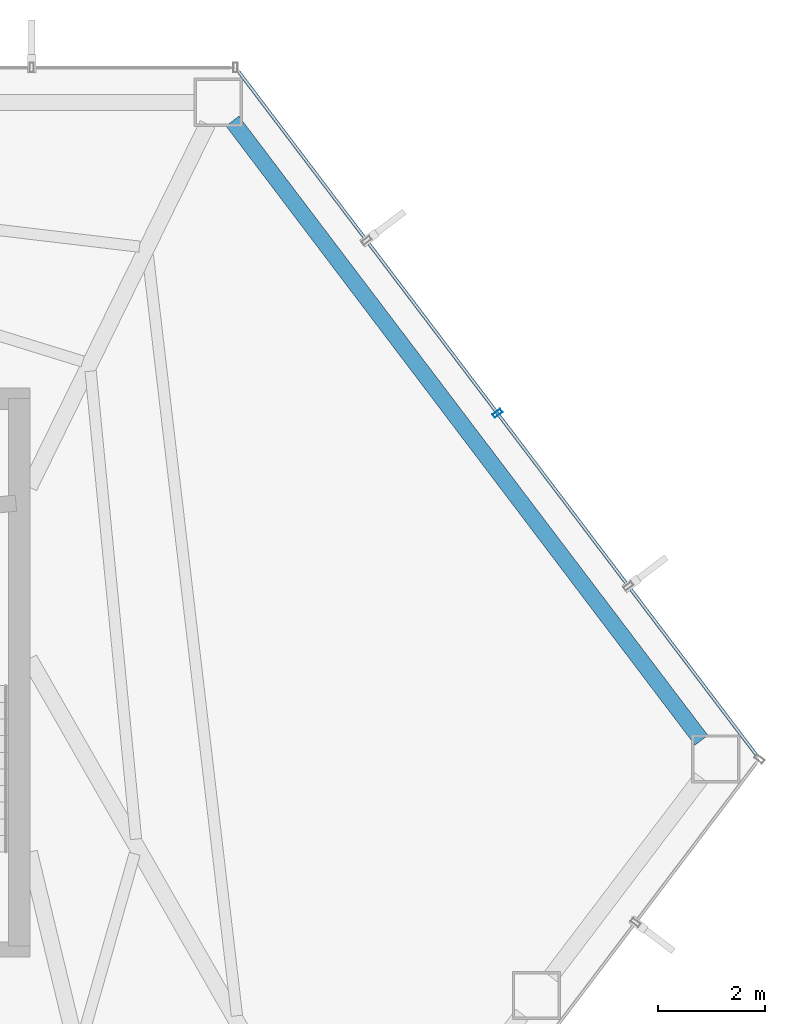
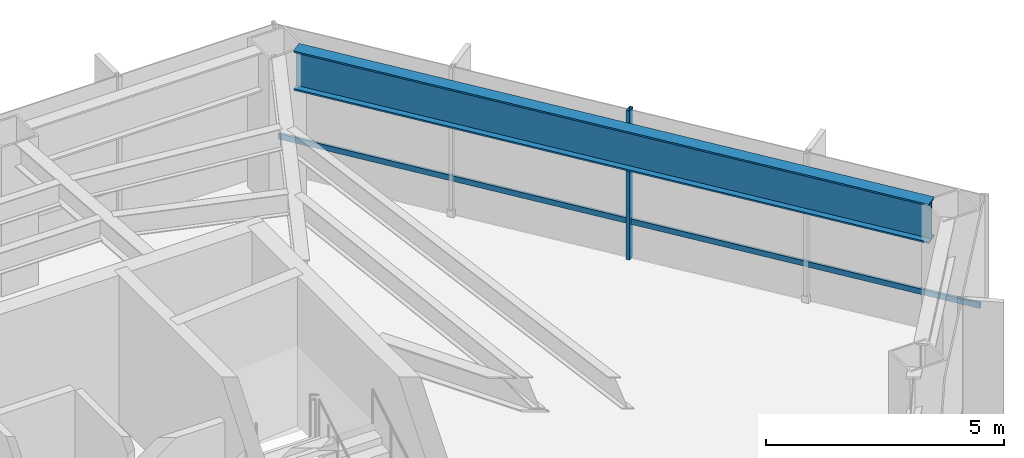
# One storey, part 20 of 25: 2 members, 1 beam, 1 element without a shape of its own.
"""IFC4 building model written with IfcOpenShell, lengths in metres."""

from ifc_helpers import new_model, si_unit, direction, frame, origin, origin_2d, place, context, subcontext, project, spatial, hollow_rectangle, i_section, extrude, material, layer, layer_set, material_profile, profile_set, type_object, element, aggregate, save


model = new_model("IFC4")

# Units and contexts
model_context = context("Model", 3, precision=1e-05, world=origin(), true_north=direction((0.0, 1.0)))
body_context = subcontext(model_context, "Body", "Model", "MODEL_VIEW")
ifc_project = project(units=[si_unit("LENGTHUNIT", "METRE"), si_unit("AREAUNIT", "SQUARE_METRE"), si_unit("VOLUMEUNIT", "CUBIC_METRE"), si_unit("PLANEANGLEUNIT", "RADIAN"), si_unit("MASSUNIT", "GRAM", prefix="KILO")], contexts=[model_context])

# Site, building, storey
site_placement = place(None, origin())
site = spatial("IfcSite", under=ifc_project, at=site_placement, CompositionType="ELEMENT")
building_placement = place(site_placement, origin())
building = spatial("IfcBuilding", under=site, at=building_placement, Name="Zarrinselat Tower", CompositionType="ELEMENT")
storey_placement = place(building_placement, frame((0.0, 0.0, 84.659912109375)))
storey = spatial("IfcBuildingStorey", under=building, at=storey_placement, Name="L20", CompositionType="ELEMENT", Elevation=84.659912109375)

# Beam
ifc_material_1 = material(Name="Steel S460M", Category="steel")
ifc_material_profile_1 = material_profile(ifc_material_1, i_section(OverallWidth=0.302001953125, OverallDepth=1.008056640625, WebThickness=0.02099609375, FlangeThickness=0.0400390625, at=origin_2d()), Name="HEM 1000")
ifc_profile_set_1 = profile_set([ifc_material_profile_1], Name="Steel S460M")
beam_type = type_object("IfcBeamType", Name="BM-HEM1000", PredefinedType="BEAM", material=ifc_profile_set_1)
beam_placement = place(storey_placement, frame((52.23291015625, 48.61767578125, 3.316162109375), z_axis=(0.603850865927, -0.797097316342, 0.0), x_axis=(0.797097316342, 0.603850865927, 0.0)))
element("IfcBeam", 1, at=beam_placement, inside=storey, type_object=beam_type, Name="L20 Perimeter Spandrel Girder SP15", PredefinedType="BEAM", context=body_context, shape_type="SweptSolid", body=[
    extrude(i_section(OverallWidth=0.302001953125, OverallDepth=1.008056640625, WebThickness=0.02099609375, FlangeThickness=0.0400390625, at=origin_2d()), origin(), (0.0, 0.0, 1.0), 14.46923828125),
])

# Curtain wall, members
ifc_material_2 = material(Name="Extruded Aluminium Alloy EN AW-6063 T6", Category="aluminium")
ifc_layer = layer(ifc_material_2, 0.18505859375)
ifc_layer_set = layer_set([ifc_layer], Name="Extruded Aluminium Alloy EN AW-6063 T6")
curtain_wall_type = type_object("IfcCurtainWallType", Name="CWS-OFF", PredefinedType="NOTDEFINED", material=ifc_layer_set)
curtain_wall_placement = place(storey_placement, origin())
curtain_wall = element("IfcCurtainWall", 2, at=curtain_wall_placement, inside=storey, type_object=curtain_wall_type, Name="L20 Unitised Curtain Wall CW-L20-E06", PredefinedType="NOTDEFINED")
ifc_material_3 = material(Name="Extruded Aluminium Alloy EN AW-6063 T6", Category="aluminium")
ifc_material_profile_2 = material_profile(ifc_material_3, hollow_rectangle(XDim=0.080078125, YDim=0.179931640625, WallThickness=0.0048828125, at=origin_2d()), Name="RHS 180x80x5")
ifc_profile_set_2 = profile_set([ifc_material_profile_2], Name="Extruded Aluminium Alloy EN AW-6063 T6")
member_type_1 = type_object("IfcMemberType", Name="MEM-CW-MUL", PredefinedType="MULLION", material=ifc_profile_set_2)
member_1_placement = place(storey_placement, frame((57.1708984375, 43.17578125, 0.0), z_axis=(0.0, 0.0, 1.0), x_axis=(-0.603858164533, 0.797091787141, 0.0)))
member_1 = element("IfcMember", 3, at=member_1_placement, type_object=member_type_1, Name="CW-L20-E06 Mullion 2", PredefinedType="MULLION", context=body_context, shape_type="SweptSolid", body=[
    extrude(hollow_rectangle(XDim=0.080078125, YDim=0.179931640625, WallThickness=0.0048828125, at=origin_2d()), origin(), (0.0, 0.0, 1.0), 3.820068359375),
])
ifc_material_4 = material(Name="Extruded Aluminium Alloy EN AW-6063 T6", Category="aluminium")
ifc_material_profile_3 = material_profile(ifc_material_4, hollow_rectangle(XDim=0.06005859375, YDim=0.139892578125, WallThickness=0.00390625, at=origin_2d()), Name="RHS 140x60x4")
ifc_profile_set_3 = profile_set([ifc_material_profile_3], Name="Extruded Aluminium Alloy EN AW-6063 T6")
member_type_2 = type_object("IfcMemberType", Name="MEM-CW-TRN", PredefinedType="USERDEFINED", material=ifc_profile_set_3)
member_2_placement = place(storey_placement, frame((61.99609375, 36.806884765625, 0.9501953125), z_axis=(-0.603872100397, 0.797081229463, 0.0), x_axis=(-0.797081229463, -0.603872100397, 0.0)))
member_2 = element("IfcMember", 4, at=member_2_placement, type_object=member_type_2, Name="CW-L20-E06 Transom 1", ObjectType="TRANSOM", PredefinedType="USERDEFINED", context=body_context, shape_type="SweptSolid", body=[
    extrude(hollow_rectangle(XDim=0.06005859375, YDim=0.139892578125, WallThickness=0.00390625, at=origin_2d()), origin(), (0.0, 0.0, 1.0), 15.98095703125),
])
aggregate(curtain_wall, [member_1, member_2])

save(model, "model.ifc")
